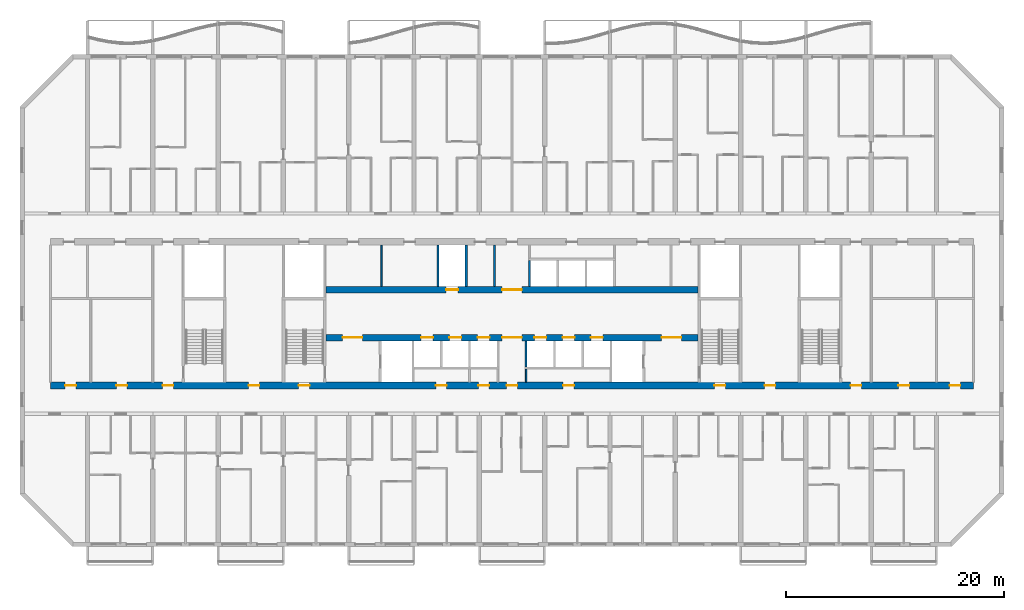
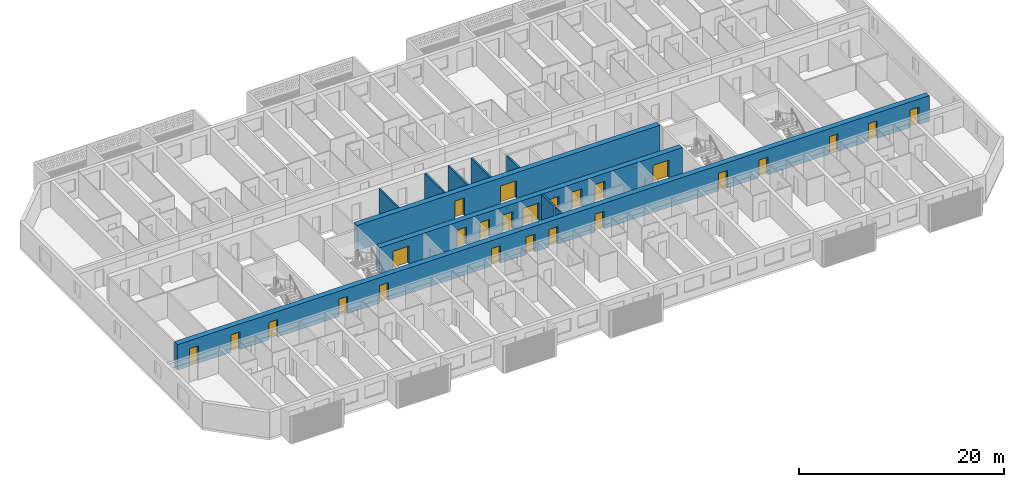
# One storey, part 7 of 39: 25 doors, 10 walls, 25 openings.
"""IFC4 building model written with IfcOpenShell, lengths in metres."""

from ifc_helpers import new_model, si_unit, direction, frame, frame_2d, origin, place, context, subcontext, project, spatial, rectangle, extrude, material, layer, layer_set, type_object, element, fill, save


model = new_model("IFC4")

# Units and contexts
model_context = context("Model", 3, precision=1e-05, world=origin(), true_north=direction((0.0, 1.0)))
body_context = subcontext(model_context, "Body", "Model", "MODEL_VIEW")
ifc_project = project(units=[si_unit("LENGTHUNIT", "METRE"), si_unit("AREAUNIT", "SQUARE_METRE"), si_unit("VOLUMEUNIT", "CUBIC_METRE"), si_unit("PLANEANGLEUNIT", "RADIAN"), si_unit("MASSUNIT", "GRAM", prefix="KILO")], contexts=[model_context])

# Site, building, storey
site_placement = place(None, origin())
site = spatial("IfcSite", under=ifc_project, at=site_placement, CompositionType="ELEMENT")
building_placement = place(site_placement, origin())
building = spatial("IfcBuilding", under=site, at=building_placement, Name="Poui Terraces", CompositionType="ELEMENT")
storey_placement = place(building_placement, frame((0.0, 0.0, 56.39990234375)))
storey = spatial("IfcBuildingStorey", under=building, at=storey_placement, Name="L15", CompositionType="ELEMENT", Elevation=56.39990234375)

# Wall, openings, doors
ifc_material_1 = material(Name="Concrete 80 MPa", Category="concrete")
ifc_layer_1 = layer(ifc_material_1, 0.60009765625)
ifc_layer_set_1 = layer_set([ifc_layer_1], Name="Concrete 80 MPa")
wall_type_1 = type_object("IfcWallType", Name="CORE WALL 600 80 MPA", PredefinedType="SOLIDWALL", material=ifc_layer_set_1)
wall_1_placement = place(storey_placement, frame((33.925048828125, 19.0, 0.0), z_axis=(0.0, 0.0, 1.0), x_axis=(1.0, 0.0, 0.0)))
wall_1 = element("IfcWall", 1, at=wall_1_placement, inside=storey, type_object=wall_type_1, Name="CORE WALL", PredefinedType="SOLIDWALL", context=body_context, shape_type="SweptSolid", body=[
    extrude(rectangle(XDim=34.14990234375, YDim=0.60009765625, at=frame_2d((17.074951171875, 0.0))), origin(), (0.0, 0.0, 1.0), 3.050048828125),
])
opening_1_placement = place(wall_1_placement, frame((16.175048828125, 0.0, 0.0)))
opening_1 = element("IfcOpeningElement", 2, at=opening_1_placement, cuts=wall_1, Name="Opening FDD60", PredefinedType="OPENING", context=body_context, shape_type="SweptSolid", body=[
    extrude(rectangle(XDim=1.800048828125, YDim=2.10009765625, at=frame_2d((0.89990234375, 1.050048828125))), frame((0.0, 0.31005859375, 0.0), z_axis=(0.0, -1.0, 0.0), x_axis=(1.0, 0.0, 0.0)), (0.0, 0.0, 1.0), 0.6201171875),
])
opening_2_placement = place(wall_1_placement, frame((1.52490234375, 0.0, 0.0)))
opening_2 = element("IfcOpeningElement", 3, at=opening_2_placement, cuts=wall_1, Name="Opening FDD60", PredefinedType="OPENING", context=body_context, shape_type="SweptSolid", body=[
    extrude(rectangle(XDim=1.800048828125, YDim=2.10009765625, at=frame_2d((0.89990234375, 1.050048828125))), frame((0.0, 0.31005859375, 0.0), z_axis=(0.0, -1.0, 0.0), x_axis=(1.0, 0.0, 0.0)), (0.0, 0.0, 1.0), 0.6201171875),
])
opening_3_placement = place(wall_1_placement, frame((8.72509765625, 0.0, 0.0)))
opening_3 = element("IfcOpeningElement", 4, at=opening_3_placement, cuts=wall_1, Name="Opening LD", PredefinedType="OPENING", context=body_context, shape_type="SweptSolid", body=[
    extrude(rectangle(XDim=1.10009765625, YDim=2.10009765625, at=frame_2d((0.550048828125, 1.050048828125))), frame((0.0, 0.31005859375, 0.0), z_axis=(0.0, -1.0, 0.0), x_axis=(1.0, 0.0, 0.0)), (0.0, 0.0, 1.0), 0.6201171875),
])
opening_4_placement = place(wall_1_placement, frame((11.324951171875, 0.0, 0.0)))
opening_4 = element("IfcOpeningElement", 5, at=opening_4_placement, cuts=wall_1, Name="Opening LD", PredefinedType="OPENING", context=body_context, shape_type="SweptSolid", body=[
    extrude(rectangle(XDim=1.10009765625, YDim=2.10009765625, at=frame_2d((0.550048828125, 1.050048828125))), frame((0.0, 0.31005859375, 0.0), z_axis=(0.0, -1.0, 0.0), x_axis=(1.0, 0.0, 0.0)), (0.0, 0.0, 1.0), 0.6201171875),
])
opening_5_placement = place(wall_1_placement, frame((13.925048828125, 0.0, 0.0)))
opening_5 = element("IfcOpeningElement", 6, at=opening_5_placement, cuts=wall_1, Name="Opening LD", PredefinedType="OPENING", context=body_context, shape_type="SweptSolid", body=[
    extrude(rectangle(XDim=1.10009765625, YDim=2.10009765625, at=frame_2d((0.550048828125, 1.050048828125))), frame((0.0, 0.31005859375, 0.0), z_axis=(0.0, -1.0, 0.0), x_axis=(1.0, 0.0, 0.0)), (0.0, 0.0, 1.0), 0.6201171875),
])
opening_6_placement = place(wall_1_placement, frame((19.125, 0.0, 0.0)))
opening_6 = element("IfcOpeningElement", 7, at=opening_6_placement, cuts=wall_1, Name="Opening LD", PredefinedType="OPENING", context=body_context, shape_type="SweptSolid", body=[
    extrude(rectangle(XDim=1.10009765625, YDim=2.10009765625, at=frame_2d((0.550048828125, 1.050048828125))), frame((0.0, 0.31005859375, 0.0), z_axis=(0.0, -1.0, 0.0), x_axis=(1.0, 0.0, 0.0)), (0.0, 0.0, 1.0), 0.6201171875),
])
opening_7_placement = place(wall_1_placement, frame((21.72509765625, 0.0, 0.0)))
opening_7 = element("IfcOpeningElement", 8, at=opening_7_placement, cuts=wall_1, Name="Opening LD", PredefinedType="OPENING", context=body_context, shape_type="SweptSolid", body=[
    extrude(rectangle(XDim=1.10009765625, YDim=2.10009765625, at=frame_2d((0.550048828125, 1.050048828125))), frame((0.0, 0.31005859375, 0.0), z_axis=(0.0, -1.0, 0.0), x_axis=(1.0, 0.0, 0.0)), (0.0, 0.0, 1.0), 0.6201171875),
])
opening_8_placement = place(wall_1_placement, frame((24.324951171875, 0.0, 0.0)))
opening_8 = element("IfcOpeningElement", 9, at=opening_8_placement, cuts=wall_1, Name="Opening LD", PredefinedType="OPENING", context=body_context, shape_type="SweptSolid", body=[
    extrude(rectangle(XDim=1.10009765625, YDim=2.10009765625, at=frame_2d((0.550048828125, 1.050048828125))), frame((0.0, 0.31005859375, 0.0), z_axis=(0.0, -1.0, 0.0), x_axis=(1.0, 0.0, 0.0)), (0.0, 0.0, 1.0), 0.6201171875),
])
opening_9_placement = place(wall_1_placement, frame((30.824951171875, 0.0, 0.0)))
opening_9 = element("IfcOpeningElement", 10, at=opening_9_placement, cuts=wall_1, Name="Opening FDD60", PredefinedType="OPENING", context=body_context, shape_type="SweptSolid", body=[
    extrude(rectangle(XDim=1.800048828125, YDim=2.10009765625, at=frame_2d((0.89990234375, 1.050048828125))), frame((0.0, 0.31005859375, 0.0), z_axis=(0.0, -1.0, 0.0), x_axis=(1.0, 0.0, 0.0)), (0.0, 0.0, 1.0), 0.6201171875),
])
ifc_material_2 = material(Name="Steel fire door", Category="steel")
door_type_1 = type_object("IfcDoorType", Name="DOUBLE LOBBY FIRE DOOR 1800 X 2100", OperationType="DOUBLE_DOOR_SINGLE_SWING", PredefinedType="DOOR", material=ifc_material_2)
door_1_placement = place(opening_1_placement, frame((1.800048828125, 0.0, 0.0), z_axis=(0.0, 0.0, 1.0), x_axis=(-1.0, 0.0, 0.0)))
door_1 = element("IfcDoor", 11, at=door_1_placement, inside=storey, type_object=door_type_1, Name="DOUBLE LOBBY FIRE DOOR 140", OperationType="DOUBLE_DOOR_SINGLE_SWING", OverallHeight=2.10009765625, OverallWidth=1.800048828125, PredefinedType="DOOR", context=body_context, shape_type="SweptSolid", body=[
    extrude(rectangle(XDim=1.800048828125, YDim=2.10009765625, at=frame_2d((0.89990234375, 1.050048828125))), frame((0.0, 0.02490234375, 0.0), z_axis=(0.0, -1.0, 0.0), x_axis=(1.0, 0.0, 0.0)), (0.0, 0.0, 1.0), 0.050048828125),
])
fill(opening_1, door_1)
door_2_placement = place(opening_2_placement, origin())
door_2 = element("IfcDoor", 12, at=door_2_placement, inside=storey, type_object=door_type_1, Name="DOUBLE LOBBY FIRE DOOR 141", OperationType="DOUBLE_DOOR_SINGLE_SWING", OverallHeight=2.10009765625, OverallWidth=1.800048828125, PredefinedType="DOOR", context=body_context, shape_type="SweptSolid", body=[
    extrude(rectangle(XDim=1.800048828125, YDim=2.10009765625, at=frame_2d((0.89990234375, 1.050048828125))), frame((0.0, 0.02490234375, 0.0), z_axis=(0.0, -1.0, 0.0), x_axis=(1.0, 0.0, 0.0)), (0.0, 0.0, 1.0), 0.050048828125),
])
fill(opening_2, door_2)
door_3_placement = place(opening_9_placement, origin())
door_3 = element("IfcDoor", 13, at=door_3_placement, inside=storey, type_object=door_type_1, Name="DOUBLE LOBBY FIRE DOOR 149", OperationType="DOUBLE_DOOR_SINGLE_SWING", OverallHeight=2.10009765625, OverallWidth=1.800048828125, PredefinedType="DOOR", context=body_context, shape_type="SweptSolid", body=[
    extrude(rectangle(XDim=1.800048828125, YDim=2.10009765625, at=frame_2d((0.89990234375, 1.050048828125))), frame((0.0, 0.02490234375, 0.0), z_axis=(0.0, -1.0, 0.0), x_axis=(1.0, 0.0, 0.0)), (0.0, 0.0, 1.0), 0.050048828125),
])
fill(opening_9, door_3)
ifc_material_3 = material(Name="Stainless steel sliding door", Category="steel")
door_type_2 = type_object("IfcDoorType", Name="LIFT LANDING DOOR 1100 X 2100", OperationType="DOUBLE_DOOR_SLIDING", PredefinedType="DOOR", material=ifc_material_3)
door_4_placement = place(opening_3_placement, origin())
door_4 = element("IfcDoor", 14, at=door_4_placement, inside=storey, type_object=door_type_2, Name="LANDING DOOR", OperationType="DOUBLE_DOOR_SLIDING", OverallHeight=2.10009765625, OverallWidth=1.10009765625, PredefinedType="DOOR", context=body_context, shape_type="SweptSolid", body=[
    extrude(rectangle(XDim=1.10009765625, YDim=2.10009765625, at=frame_2d((0.550048828125, 1.050048828125))), frame((0.0, 0.02490234375, 0.0), z_axis=(0.0, -1.0, 0.0), x_axis=(1.0, 0.0, 0.0)), (0.0, 0.0, 1.0), 0.050048828125),
])
fill(opening_3, door_4)
door_5_placement = place(opening_4_placement, origin())
door_5 = element("IfcDoor", 15, at=door_5_placement, inside=storey, type_object=door_type_2, Name="LANDING DOOR", OperationType="DOUBLE_DOOR_SLIDING", OverallHeight=2.10009765625, OverallWidth=1.10009765625, PredefinedType="DOOR", context=body_context, shape_type="SweptSolid", body=[
    extrude(rectangle(XDim=1.10009765625, YDim=2.10009765625, at=frame_2d((0.550048828125, 1.050048828125))), frame((0.0, 0.02490234375, 0.0), z_axis=(0.0, -1.0, 0.0), x_axis=(1.0, 0.0, 0.0)), (0.0, 0.0, 1.0), 0.050048828125),
])
fill(opening_4, door_5)
door_6_placement = place(opening_5_placement, origin())
door_6 = element("IfcDoor", 16, at=door_6_placement, inside=storey, type_object=door_type_2, Name="LANDING DOOR", OperationType="DOUBLE_DOOR_SLIDING", OverallHeight=2.10009765625, OverallWidth=1.10009765625, PredefinedType="DOOR", context=body_context, shape_type="SweptSolid", body=[
    extrude(rectangle(XDim=1.10009765625, YDim=2.10009765625, at=frame_2d((0.550048828125, 1.050048828125))), frame((0.0, 0.02490234375, 0.0), z_axis=(0.0, -1.0, 0.0), x_axis=(1.0, 0.0, 0.0)), (0.0, 0.0, 1.0), 0.050048828125),
])
fill(opening_5, door_6)
door_7_placement = place(opening_6_placement, origin())
door_7 = element("IfcDoor", 17, at=door_7_placement, inside=storey, type_object=door_type_2, Name="LANDING DOOR", OperationType="DOUBLE_DOOR_SLIDING", OverallHeight=2.10009765625, OverallWidth=1.10009765625, PredefinedType="DOOR", context=body_context, shape_type="SweptSolid", body=[
    extrude(rectangle(XDim=1.10009765625, YDim=2.10009765625, at=frame_2d((0.550048828125, 1.050048828125))), frame((0.0, 0.02490234375, 0.0), z_axis=(0.0, -1.0, 0.0), x_axis=(1.0, 0.0, 0.0)), (0.0, 0.0, 1.0), 0.050048828125),
])
fill(opening_6, door_7)
door_8_placement = place(opening_7_placement, origin())
door_8 = element("IfcDoor", 18, at=door_8_placement, inside=storey, type_object=door_type_2, Name="LANDING DOOR", OperationType="DOUBLE_DOOR_SLIDING", OverallHeight=2.10009765625, OverallWidth=1.10009765625, PredefinedType="DOOR", context=body_context, shape_type="SweptSolid", body=[
    extrude(rectangle(XDim=1.10009765625, YDim=2.10009765625, at=frame_2d((0.550048828125, 1.050048828125))), frame((0.0, 0.02490234375, 0.0), z_axis=(0.0, -1.0, 0.0), x_axis=(1.0, 0.0, 0.0)), (0.0, 0.0, 1.0), 0.050048828125),
])
fill(opening_7, door_8)
door_9_placement = place(opening_8_placement, origin())
door_9 = element("IfcDoor", 19, at=door_9_placement, inside=storey, type_object=door_type_2, Name="LANDING DOOR", OperationType="DOUBLE_DOOR_SLIDING", OverallHeight=2.10009765625, OverallWidth=1.10009765625, PredefinedType="DOOR", context=body_context, shape_type="SweptSolid", body=[
    extrude(rectangle(XDim=1.10009765625, YDim=2.10009765625, at=frame_2d((0.550048828125, 1.050048828125))), frame((0.0, 0.02490234375, 0.0), z_axis=(0.0, -1.0, 0.0), x_axis=(1.0, 0.0, 0.0)), (0.0, 0.0, 1.0), 0.050048828125),
])
fill(opening_8, door_9)

wall_2_placement = place(storey_placement, frame((33.925048828125, 23.39990234375, 0.0), z_axis=(0.0, 0.0, 1.0), x_axis=(1.0, 0.0, 0.0)))
wall_2 = element("IfcWall", 20, at=wall_2_placement, inside=storey, type_object=wall_type_1, Name="CORE WALL", PredefinedType="SOLIDWALL", context=body_context, shape_type="SweptSolid", body=[
    extrude(rectangle(XDim=34.14990234375, YDim=0.60009765625, at=frame_2d((17.074951171875, 0.0))), origin(), (0.0, 0.0, 1.0), 3.050048828125),
])
opening_10_placement = place(wall_2_placement, frame((16.175048828125, 0.0, 0.0)))
opening_10 = element("IfcOpeningElement", 21, at=opening_10_placement, cuts=wall_2, Name="Opening FDD60", PredefinedType="OPENING", context=body_context, shape_type="SweptSolid", body=[
    extrude(rectangle(XDim=1.800048828125, YDim=2.10009765625, at=frame_2d((0.89990234375, 1.050048828125))), frame((0.0, 0.31005859375, 0.0), z_axis=(0.0, -1.0, 0.0), x_axis=(1.0, 0.0, 0.0)), (0.0, 0.0, 1.0), 0.6201171875),
])
opening_11_placement = place(wall_2_placement, frame((11.02490234375, 0.0, 0.0)))
opening_11 = element("IfcOpeningElement", 22, at=opening_11_placement, cuts=wall_2, Name="Opening LD", PredefinedType="OPENING", context=body_context, shape_type="SweptSolid", body=[
    extrude(rectangle(XDim=1.10009765625, YDim=2.10009765625, at=frame_2d((0.550048828125, 1.050048828125))), frame((0.0, 0.31005859375, 0.0), z_axis=(0.0, -1.0, 0.0), x_axis=(1.0, 0.0, 0.0)), (0.0, 0.0, 1.0), 0.6201171875),
])
door_10_placement = place(opening_10_placement, origin())
door_10 = element("IfcDoor", 23, at=door_10_placement, inside=storey, type_object=door_type_1, Name="DOUBLE LOBBY FIRE DOOR 139", OperationType="DOUBLE_DOOR_SINGLE_SWING", OverallHeight=2.10009765625, OverallWidth=1.800048828125, PredefinedType="DOOR", context=body_context, shape_type="SweptSolid", body=[
    extrude(rectangle(XDim=1.800048828125, YDim=2.10009765625, at=frame_2d((0.89990234375, 1.050048828125))), frame((0.0, 0.02490234375, 0.0), z_axis=(0.0, -1.0, 0.0), x_axis=(1.0, 0.0, 0.0)), (0.0, 0.0, 1.0), 0.050048828125),
])
fill(opening_10, door_10)
door_11_placement = place(opening_11_placement, origin())
door_11 = element("IfcDoor", 24, at=door_11_placement, inside=storey, type_object=door_type_2, Name="LANDING DOOR", OperationType="DOUBLE_DOOR_SLIDING", OverallHeight=2.10009765625, OverallWidth=1.10009765625, PredefinedType="DOOR", context=body_context, shape_type="SweptSolid", body=[
    extrude(rectangle(XDim=1.10009765625, YDim=2.10009765625, at=frame_2d((0.550048828125, 1.050048828125))), frame((0.0, 0.02490234375, 0.0), z_axis=(0.0, -1.0, 0.0), x_axis=(1.0, 0.0, 0.0)), (0.0, 0.0, 1.0), 0.050048828125),
])
fill(opening_11, door_11)

# Walls
ifc_material_4 = material(Name="Fire-rated plasterboard wall")
ifc_layer_2 = layer(ifc_material_4, 0.14990234375)
ifc_layer_set_2 = layer_set([ifc_layer_2], Name="Fire-rated plasterboard wall")
wall_type_2 = type_object("IfcWallType", Name="CORRIDOR WALL 150", PredefinedType="PARTITIONING", material=ifc_layer_set_2)
wall_3_placement = place(storey_placement, frame((52.300048828125, 14.909912109375, 0.0), z_axis=(0.0, 0.0, 1.0), x_axis=(0.0, 1.0, 0.0)))
element("IfcWall", 25, at=wall_3_placement, inside=storey, type_object=wall_type_2, Name="CORRIDOR WALL 150", PredefinedType="PARTITIONING", context=body_context, shape_type="SweptSolid", body=[
    extrude(rectangle(XDim=1.190185546875, YDim=0.14990234375, at=frame_2d((0.59521484375, 0.0))), origin(), (0.0, 0.0, 1.0), 3.050048828125),
])
ifc_material_5 = material(Name="Plasterboard partition")
ifc_layer_3 = layer(ifc_material_5, 0.14990234375)
ifc_layer_set_3 = layer_set([ifc_layer_3], Name="Plasterboard partition")
wall_type_3 = type_object("IfcWallType", Name="PARTITION WALL 150", PredefinedType="PARTITIONING", material=ifc_layer_set_3)
wall_4_placement = place(storey_placement, frame((39.0, 23.7099609375, 0.0), z_axis=(0.0, 0.0, 1.0), x_axis=(0.0, 1.0, 0.0)))
element("IfcWall", 26, at=wall_4_placement, inside=storey, type_object=wall_type_3, Name="PARTITION WALL 150", PredefinedType="PARTITIONING", context=body_context, shape_type="SweptSolid", body=[
    extrude(rectangle(XDim=3.780029296875, YDim=0.14990234375, at=frame_2d((1.89013671875, 0.0))), origin(), (0.0, 0.0, 1.0), 3.050048828125),
])
ifc_material_6 = material(Name="Fire-rated masonry wall", Category="masonry")
ifc_layer_4 = layer(ifc_material_6, 0.199951171875)
ifc_layer_set_4 = layer_set([ifc_layer_4], Name="Fire-rated masonry wall")
wall_type_4 = type_object("IfcWallType", Name="PLANT ROOM WALL 200", PredefinedType="PARTITIONING", material=ifc_layer_set_4)
wall_5_placement = place(storey_placement, frame((49.39990234375, 23.7099609375, 0.0), z_axis=(0.0, 0.0, 1.0), x_axis=(0.0, 1.0, 0.0)))
element("IfcWall", 27, at=wall_5_placement, inside=storey, type_object=wall_type_4, Name="PLANT ROOM WALL 200", PredefinedType="PARTITIONING", context=body_context, shape_type="SweptSolid", body=[
    extrude(rectangle(XDim=3.780029296875, YDim=0.199951171875, at=frame_2d((1.89013671875, 0.0))), origin(), (0.0, 0.0, 1.0), 3.050048828125),
])
ifc_material_7 = material(Name="Fire-rated masonry shaft wall", Category="masonry")
ifc_layer_5 = layer(ifc_material_7, 0.199951171875)
ifc_layer_set_5 = layer_set([ifc_layer_5], Name="Fire-rated masonry shaft wall")
wall_type_5 = type_object("IfcWallType", Name="SHAFT WALL 200", PredefinedType="PARTITIONING", material=ifc_layer_set_5)
for number, where, z_axis, x_axis, name in (
    (28, (44.199951171875, 23.7099609375, 0.0), (0.0, 0.0, 1.0), (0.0, 1.0, 0.0), "SHAFT WALL 200"),
    (29, (46.800048828125, 23.7099609375, 0.0), (0.0, 0.0, 1.0), (0.0, 1.0, 0.0), "SHAFT WALL 200"),
):
    element("IfcWall", number, at=place(storey_placement, frame(where, z_axis=z_axis, x_axis=x_axis)), inside=storey, type_object=wall_type_5, Name=name, PredefinedType="PARTITIONING", context=body_context, shape_type="SweptSolid", body=[
        extrude(rectangle(XDim=3.780029296875, YDim=0.199951171875, at=frame_2d((1.89013671875, 0.0))), origin(), (0.0, 0.0, 1.0), 3.050048828125),
    ])
wall_6_placement = place(storey_placement, frame((52.300048828125, 16.300048828125, 0.0), z_axis=(0.0, 0.0, 1.0), x_axis=(0.0, 1.0, 0.0)))
element("IfcWall", 30, at=wall_6_placement, inside=storey, type_object=wall_type_5, Name="SHAFT WALL 200", PredefinedType="PARTITIONING", context=body_context, shape_type="SweptSolid", body=[
    extrude(rectangle(XDim=2.389892578125, YDim=0.199951171875, at=frame_2d((1.19482421875, 0.0))), origin(), (0.0, 0.0, 1.0), 3.050048828125),
])
wall_7_placement = place(storey_placement, frame((52.60009765625, 23.7099609375, 0.0), z_axis=(0.0, 0.0, 1.0), x_axis=(0.0, 1.0, 0.0)))
element("IfcWall", 31, at=wall_7_placement, inside=storey, type_object=wall_type_5, Name="SHAFT WALL 200", PredefinedType="PARTITIONING", context=body_context, shape_type="SweptSolid", body=[
    extrude(rectangle(XDim=2.39013671875, YDim=0.199951171875, at=frame_2d((1.195068359375, 0.0))), origin(), (0.0, 0.0, 1.0), 3.050048828125),
])

# Wall, openings, doors
ifc_layer_6 = layer(ifc_material_1, 0.60009765625)
ifc_layer_set_6 = layer_set([ifc_layer_6], Name="Concrete 80 MPa")
wall_type_6 = type_object("IfcWallType", Name="SPINE WALL 600 80 MPA", PredefinedType="SOLIDWALL", material=ifc_layer_set_6)
wall_8_placement = place(storey_placement, frame((8.60009765625, 14.60009765625, 0.0), z_axis=(0.0, 0.0, 1.0), x_axis=(1.0, 0.0, 0.0)))
wall_8 = element("IfcWall", 32, at=wall_8_placement, inside=storey, type_object=wall_type_6, Name="SPINE WALL", PredefinedType="SOLIDWALL", context=body_context, shape_type="SweptSolid", body=[
    extrude(rectangle(XDim=84.7998046875, YDim=0.60009765625, at=frame_2d((42.39990234375, 0.0))), origin(), (0.0, 0.0, 1.0), 3.050048828125),
])
opening_12_placement = place(wall_8_placement, frame((1.35009765625, 0.0, 0.0)))
opening_12 = element("IfcOpeningElement", 33, at=opening_12_placement, cuts=wall_8, Name="Opening D100", PredefinedType="OPENING", context=body_context, shape_type="SweptSolid", body=[
    extrude(rectangle(XDim=1.0, YDim=2.10009765625, at=frame_2d((0.5, 1.050048828125))), frame((0.0, 0.31005859375, 0.0), z_axis=(0.0, -1.0, 0.0), x_axis=(1.0, 0.0, 0.0)), (0.0, 0.0, 1.0), 0.6201171875),
])
opening_13_placement = place(wall_8_placement, frame((6.050048828125, 0.0, 0.0)))
opening_13 = element("IfcOpeningElement", 34, at=opening_13_placement, cuts=wall_8, Name="Opening FD60", PredefinedType="OPENING", context=body_context, shape_type="SweptSolid", body=[
    extrude(rectangle(XDim=1.0, YDim=2.10009765625, at=frame_2d((0.5, 1.050048828125))), frame((0.0, 0.31005859375, 0.0), z_axis=(0.0, -1.0, 0.0), x_axis=(1.0, 0.0, 0.0)), (0.0, 0.0, 1.0), 0.6201171875),
])
opening_14_placement = place(wall_8_placement, frame((10.300048828125, 0.0, 0.0)))
opening_14 = element("IfcOpeningElement", 35, at=opening_14_placement, cuts=wall_8, Name="Opening FDL", PredefinedType="OPENING", context=body_context, shape_type="SweptSolid", body=[
    extrude(rectangle(XDim=1.0, YDim=2.10009765625, at=frame_2d((0.5, 1.050048828125))), frame((0.0, 0.31005859375, 0.0), z_axis=(0.0, -1.0, 0.0), x_axis=(1.0, 0.0, 0.0)), (0.0, 0.0, 1.0), 0.6201171875),
])
opening_15_placement = place(wall_8_placement, frame((18.199951171875, 0.0, 0.0)))
opening_15 = element("IfcOpeningElement", 36, at=opening_15_placement, cuts=wall_8, Name="Opening D100", PredefinedType="OPENING", context=body_context, shape_type="SweptSolid", body=[
    extrude(rectangle(XDim=1.0, YDim=2.10009765625, at=frame_2d((0.5, 1.050048828125))), frame((0.0, 0.31005859375, 0.0), z_axis=(0.0, -1.0, 0.0), x_axis=(1.0, 0.0, 0.0)), (0.0, 0.0, 1.0), 0.6201171875),
])
opening_16_placement = place(wall_8_placement, frame((22.800048828125, 0.0, 0.0)))
opening_16 = element("IfcOpeningElement", 37, at=opening_16_placement, cuts=wall_8, Name="Opening FD60S", PredefinedType="OPENING", context=body_context, shape_type="SweptSolid", body=[
    extrude(rectangle(XDim=1.0, YDim=2.10009765625, at=frame_2d((0.5, 1.050048828125))), frame((0.0, 0.31005859375, 0.0), z_axis=(0.0, -1.0, 0.0), x_axis=(1.0, 0.0, 0.0)), (0.0, 0.0, 1.0), 0.6201171875),
])
opening_17_placement = place(wall_8_placement, frame((35.39990234375, 0.0, 0.0)))
opening_17 = element("IfcOpeningElement", 38, at=opening_17_placement, cuts=wall_8, Name="Opening FD60", PredefinedType="OPENING", context=body_context, shape_type="SweptSolid", body=[
    extrude(rectangle(XDim=1.0, YDim=2.10009765625, at=frame_2d((0.5, 1.050048828125))), frame((0.0, 0.31005859375, 0.0), z_axis=(0.0, -1.0, 0.0), x_axis=(1.0, 0.0, 0.0)), (0.0, 0.0, 1.0), 0.6201171875),
])
opening_18_placement = place(wall_8_placement, frame((39.300048828125, 0.0, 0.0)))
opening_18 = element("IfcOpeningElement", 39, at=opening_18_placement, cuts=wall_8, Name="Opening FD60", PredefinedType="OPENING", context=body_context, shape_type="SweptSolid", body=[
    extrude(rectangle(XDim=1.0, YDim=2.10009765625, at=frame_2d((0.5, 1.050048828125))), frame((0.0, 0.31005859375, 0.0), z_axis=(0.0, -1.0, 0.0), x_axis=(1.0, 0.0, 0.0)), (0.0, 0.0, 1.0), 0.6201171875),
])
opening_19_placement = place(wall_8_placement, frame((41.89990234375, 0.0, 0.0)))
opening_19 = element("IfcOpeningElement", 40, at=opening_19_placement, cuts=wall_8, Name="Opening FDL", PredefinedType="OPENING", context=body_context, shape_type="SweptSolid", body=[
    extrude(rectangle(XDim=1.0, YDim=2.10009765625, at=frame_2d((0.5, 1.050048828125))), frame((0.0, 0.31005859375, 0.0), z_axis=(0.0, -1.0, 0.0), x_axis=(1.0, 0.0, 0.0)), (0.0, 0.0, 1.0), 0.6201171875),
])
opening_20_placement = place(wall_8_placement, frame((47.10009765625, 0.0, 0.0)))
opening_20 = element("IfcOpeningElement", 41, at=opening_20_placement, cuts=wall_8, Name="Opening FD60", PredefinedType="OPENING", context=body_context, shape_type="SweptSolid", body=[
    extrude(rectangle(XDim=1.0, YDim=2.10009765625, at=frame_2d((0.5, 1.050048828125))), frame((0.0, 0.31005859375, 0.0), z_axis=(0.0, -1.0, 0.0), x_axis=(1.0, 0.0, 0.0)), (0.0, 0.0, 1.0), 0.6201171875),
])
opening_21_placement = place(wall_8_placement, frame((61.0, 0.0, 0.0)))
opening_21 = element("IfcOpeningElement", 42, at=opening_21_placement, cuts=wall_8, Name="Opening FD60S", PredefinedType="OPENING", context=body_context, shape_type="SweptSolid", body=[
    extrude(rectangle(XDim=1.0, YDim=2.10009765625, at=frame_2d((0.5, 1.050048828125))), frame((0.0, 0.31005859375, 0.0), z_axis=(0.0, -1.0, 0.0), x_axis=(1.0, 0.0, 0.0)), (0.0, 0.0, 1.0), 0.6201171875),
])
opening_22_placement = place(wall_8_placement, frame((65.60009765625, 0.0, 0.0)))
opening_22 = element("IfcOpeningElement", 43, at=opening_22_placement, cuts=wall_8, Name="Opening D100", PredefinedType="OPENING", context=body_context, shape_type="SweptSolid", body=[
    extrude(rectangle(XDim=1.0, YDim=2.10009765625, at=frame_2d((0.5, 1.050048828125))), frame((0.0, 0.31005859375, 0.0), z_axis=(0.0, -1.0, 0.0), x_axis=(1.0, 0.0, 0.0)), (0.0, 0.0, 1.0), 0.6201171875),
])
opening_23_placement = place(wall_8_placement, frame((73.5, 0.0, 0.0)))
opening_23 = element("IfcOpeningElement", 44, at=opening_23_placement, cuts=wall_8, Name="Opening FDL", PredefinedType="OPENING", context=body_context, shape_type="SweptSolid", body=[
    extrude(rectangle(XDim=1.0, YDim=2.10009765625, at=frame_2d((0.5, 1.050048828125))), frame((0.0, 0.31005859375, 0.0), z_axis=(0.0, -1.0, 0.0), x_axis=(1.0, 0.0, 0.0)), (0.0, 0.0, 1.0), 0.6201171875),
])
opening_24_placement = place(wall_8_placement, frame((77.89990234375, 0.0, 0.0)))
opening_24 = element("IfcOpeningElement", 45, at=opening_24_placement, cuts=wall_8, Name="Opening D100", PredefinedType="OPENING", context=body_context, shape_type="SweptSolid", body=[
    extrude(rectangle(XDim=1.0, YDim=2.10009765625, at=frame_2d((0.5, 1.050048828125))), frame((0.0, 0.31005859375, 0.0), z_axis=(0.0, -1.0, 0.0), x_axis=(1.0, 0.0, 0.0)), (0.0, 0.0, 1.0), 0.6201171875),
])
opening_25_placement = place(wall_8_placement, frame((82.60009765625, 0.0, 0.0)))
opening_25 = element("IfcOpeningElement", 46, at=opening_25_placement, cuts=wall_8, Name="Opening FD60", PredefinedType="OPENING", context=body_context, shape_type="SweptSolid", body=[
    extrude(rectangle(XDim=1.0, YDim=2.10009765625, at=frame_2d((0.5, 1.050048828125))), frame((0.0, 0.31005859375, 0.0), z_axis=(0.0, -1.0, 0.0), x_axis=(1.0, 0.0, 0.0)), (0.0, 0.0, 1.0), 0.6201171875),
])
ifc_material_8 = material(Name="Solid core timber door", Category="wood")
door_type_3 = type_object("IfcDoorType", Name="ACCESSIBLE INTERNAL DOOR 1000 X 2100", OperationType="NOTDEFINED", PredefinedType="DOOR", material=ifc_material_8)
door_12_placement = place(opening_12_placement, frame((1.0, 0.0, 0.0), z_axis=(0.0, 0.0, 1.0), x_axis=(-1.0, 0.0, 0.0)))
door_12 = element("IfcDoor", 47, at=door_12_placement, inside=storey, type_object=door_type_3, Name="ACCESSIBLE INTERNAL DOOR 018", OperationType="SINGLE_SWING_RIGHT", OverallHeight=2.10009765625, OverallWidth=1.0, PredefinedType="DOOR", context=body_context, shape_type="SweptSolid", body=[
    extrude(rectangle(XDim=1.0, YDim=2.10009765625, at=frame_2d((0.5, 1.050048828125))), frame((0.0, 0.02490234375, 0.0), z_axis=(0.0, -1.0, 0.0), x_axis=(1.0, 0.0, 0.0)), (0.0, 0.0, 1.0), 0.050048828125),
])
fill(opening_12, door_12)
door_13_placement = place(opening_15_placement, frame((1.0, 0.0, 0.0), z_axis=(0.0, 0.0, 1.0), x_axis=(-1.0, 0.0, 0.0)))
door_13 = element("IfcDoor", 48, at=door_13_placement, inside=storey, type_object=door_type_3, Name="ACCESSIBLE INTERNAL DOOR 021", OperationType="SINGLE_SWING_RIGHT", OverallHeight=2.10009765625, OverallWidth=1.0, PredefinedType="DOOR", context=body_context, shape_type="SweptSolid", body=[
    extrude(rectangle(XDim=1.0, YDim=2.10009765625, at=frame_2d((0.5, 1.050048828125))), frame((0.0, 0.02490234375, 0.0), z_axis=(0.0, -1.0, 0.0), x_axis=(1.0, 0.0, 0.0)), (0.0, 0.0, 1.0), 0.050048828125),
])
fill(opening_15, door_13)
door_14_placement = place(opening_22_placement, frame((1.0, 0.0, 0.0), z_axis=(0.0, 0.0, 1.0), x_axis=(-1.0, 0.0, 0.0)))
door_14 = element("IfcDoor", 49, at=door_14_placement, inside=storey, type_object=door_type_3, Name="ACCESSIBLE INTERNAL DOOR 028", OperationType="SINGLE_SWING_LEFT", OverallHeight=2.10009765625, OverallWidth=1.0, PredefinedType="DOOR", context=body_context, shape_type="SweptSolid", body=[
    extrude(rectangle(XDim=1.0, YDim=2.10009765625, at=frame_2d((0.5, 1.050048828125))), frame((0.0, 0.02490234375, 0.0), z_axis=(0.0, -1.0, 0.0), x_axis=(1.0, 0.0, 0.0)), (0.0, 0.0, 1.0), 0.050048828125),
])
fill(opening_22, door_14)
door_15_placement = place(opening_24_placement, frame((1.0, 0.0, 0.0), z_axis=(0.0, 0.0, 1.0), x_axis=(-1.0, 0.0, 0.0)))
door_15 = element("IfcDoor", 50, at=door_15_placement, inside=storey, type_object=door_type_3, Name="ACCESSIBLE INTERNAL DOOR 030", OperationType="SINGLE_SWING_RIGHT", OverallHeight=2.10009765625, OverallWidth=1.0, PredefinedType="DOOR", context=body_context, shape_type="SweptSolid", body=[
    extrude(rectangle(XDim=1.0, YDim=2.10009765625, at=frame_2d((0.5, 1.050048828125))), frame((0.0, 0.02490234375, 0.0), z_axis=(0.0, -1.0, 0.0), x_axis=(1.0, 0.0, 0.0)), (0.0, 0.0, 1.0), 0.050048828125),
])
fill(opening_24, door_15)
door_type_4 = type_object("IfcDoorType", Name="LOBBY FIRE DOOR 1000 X 2100", OperationType="NOTDEFINED", PredefinedType="DOOR", material=ifc_material_2)
door_16_placement = place(opening_14_placement, frame((1.0, 0.0, 0.0), z_axis=(0.0, 0.0, 1.0), x_axis=(-1.0, 0.0, 0.0)))
door_16 = element("IfcDoor", 51, at=door_16_placement, inside=storey, type_object=door_type_4, Name="LOBBY FIRE DOOR 020", OperationType="SINGLE_SWING_RIGHT", OverallHeight=2.10009765625, OverallWidth=1.0, PredefinedType="DOOR", context=body_context, shape_type="SweptSolid", body=[
    extrude(rectangle(XDim=1.0, YDim=2.10009765625, at=frame_2d((0.5, 1.050048828125))), frame((0.0, 0.02490234375, 0.0), z_axis=(0.0, -1.0, 0.0), x_axis=(1.0, 0.0, 0.0)), (0.0, 0.0, 1.0), 0.050048828125),
])
fill(opening_14, door_16)
door_17_placement = place(opening_19_placement, frame((1.0, 0.0, 0.0), z_axis=(0.0, 0.0, 1.0), x_axis=(-1.0, 0.0, 0.0)))
door_17 = element("IfcDoor", 52, at=door_17_placement, inside=storey, type_object=door_type_4, Name="LOBBY FIRE DOOR 025", OperationType="SINGLE_SWING_LEFT", OverallHeight=2.10009765625, OverallWidth=1.0, PredefinedType="DOOR", context=body_context, shape_type="SweptSolid", body=[
    extrude(rectangle(XDim=1.0, YDim=2.10009765625, at=frame_2d((0.5, 1.050048828125))), frame((0.0, 0.02490234375, 0.0), z_axis=(0.0, -1.0, 0.0), x_axis=(1.0, 0.0, 0.0)), (0.0, 0.0, 1.0), 0.050048828125),
])
fill(opening_19, door_17)
door_18_placement = place(opening_23_placement, frame((1.0, 0.0, 0.0), z_axis=(0.0, 0.0, 1.0), x_axis=(-1.0, 0.0, 0.0)))
door_18 = element("IfcDoor", 53, at=door_18_placement, inside=storey, type_object=door_type_4, Name="LOBBY FIRE DOOR 029", OperationType="SINGLE_SWING_LEFT", OverallHeight=2.10009765625, OverallWidth=1.0, PredefinedType="DOOR", context=body_context, shape_type="SweptSolid", body=[
    extrude(rectangle(XDim=1.0, YDim=2.10009765625, at=frame_2d((0.5, 1.050048828125))), frame((0.0, 0.02490234375, 0.0), z_axis=(0.0, -1.0, 0.0), x_axis=(1.0, 0.0, 0.0)), (0.0, 0.0, 1.0), 0.050048828125),
])
fill(opening_23, door_18)
door_type_5 = type_object("IfcDoorType", Name="SERVICE ROOM FIRE DOOR 1000 X 2100", OperationType="NOTDEFINED", PredefinedType="DOOR", material=ifc_material_2)
door_19_placement = place(opening_13_placement, frame((1.0, 0.0, 0.0), z_axis=(0.0, 0.0, 1.0), x_axis=(-1.0, 0.0, 0.0)))
door_19 = element("IfcDoor", 54, at=door_19_placement, inside=storey, type_object=door_type_5, Name="SERVICE ROOM FIRE DOOR 019", OperationType="SINGLE_SWING_LEFT", OverallHeight=2.10009765625, OverallWidth=1.0, PredefinedType="DOOR", context=body_context, shape_type="SweptSolid", body=[
    extrude(rectangle(XDim=1.0, YDim=2.10009765625, at=frame_2d((0.5, 1.050048828125))), frame((0.0, 0.02490234375, 0.0), z_axis=(0.0, -1.0, 0.0), x_axis=(1.0, 0.0, 0.0)), (0.0, 0.0, 1.0), 0.050048828125),
])
fill(opening_13, door_19)
door_20_placement = place(opening_17_placement, frame((1.0, 0.0, 0.0), z_axis=(0.0, 0.0, 1.0), x_axis=(-1.0, 0.0, 0.0)))
door_20 = element("IfcDoor", 55, at=door_20_placement, inside=storey, type_object=door_type_5, Name="SERVICE ROOM FIRE DOOR 023", OperationType="SINGLE_SWING_LEFT", OverallHeight=2.10009765625, OverallWidth=1.0, PredefinedType="DOOR", context=body_context, shape_type="SweptSolid", body=[
    extrude(rectangle(XDim=1.0, YDim=2.10009765625, at=frame_2d((0.5, 1.050048828125))), frame((0.0, 0.02490234375, 0.0), z_axis=(0.0, -1.0, 0.0), x_axis=(1.0, 0.0, 0.0)), (0.0, 0.0, 1.0), 0.050048828125),
])
fill(opening_17, door_20)
door_21_placement = place(opening_18_placement, frame((1.0, 0.0, 0.0), z_axis=(0.0, 0.0, 1.0), x_axis=(-1.0, 0.0, 0.0)))
door_21 = element("IfcDoor", 56, at=door_21_placement, inside=storey, type_object=door_type_5, Name="SERVICE ROOM FIRE DOOR 024", OperationType="SINGLE_SWING_RIGHT", OverallHeight=2.10009765625, OverallWidth=1.0, PredefinedType="DOOR", context=body_context, shape_type="SweptSolid", body=[
    extrude(rectangle(XDim=1.0, YDim=2.10009765625, at=frame_2d((0.5, 1.050048828125))), frame((0.0, 0.02490234375, 0.0), z_axis=(0.0, -1.0, 0.0), x_axis=(1.0, 0.0, 0.0)), (0.0, 0.0, 1.0), 0.050048828125),
])
fill(opening_18, door_21)
door_22_placement = place(opening_20_placement, frame((1.0, 0.0, 0.0), z_axis=(0.0, 0.0, 1.0), x_axis=(-1.0, 0.0, 0.0)))
door_22 = element("IfcDoor", 57, at=door_22_placement, inside=storey, type_object=door_type_5, Name="SERVICE ROOM FIRE DOOR 026", OperationType="SINGLE_SWING_LEFT", OverallHeight=2.10009765625, OverallWidth=1.0, PredefinedType="DOOR", context=body_context, shape_type="SweptSolid", body=[
    extrude(rectangle(XDim=1.0, YDim=2.10009765625, at=frame_2d((0.5, 1.050048828125))), frame((0.0, 0.02490234375, 0.0), z_axis=(0.0, -1.0, 0.0), x_axis=(1.0, 0.0, 0.0)), (0.0, 0.0, 1.0), 0.050048828125),
])
fill(opening_20, door_22)
door_23_placement = place(opening_25_placement, frame((1.0, 0.0, 0.0), z_axis=(0.0, 0.0, 1.0), x_axis=(-1.0, 0.0, 0.0)))
door_23 = element("IfcDoor", 58, at=door_23_placement, inside=storey, type_object=door_type_5, Name="SERVICE ROOM FIRE DOOR 031", OperationType="SINGLE_SWING_LEFT", OverallHeight=2.10009765625, OverallWidth=1.0, PredefinedType="DOOR", context=body_context, shape_type="SweptSolid", body=[
    extrude(rectangle(XDim=1.0, YDim=2.10009765625, at=frame_2d((0.5, 1.050048828125))), frame((0.0, 0.02490234375, 0.0), z_axis=(0.0, -1.0, 0.0), x_axis=(1.0, 0.0, 0.0)), (0.0, 0.0, 1.0), 0.050048828125),
])
fill(opening_25, door_23)
door_type_6 = type_object("IfcDoorType", Name="STAIR DOOR 1000 X 2100", OperationType="NOTDEFINED", PredefinedType="DOOR", material=ifc_material_2)
door_24_placement = place(opening_16_placement, origin())
door_24 = element("IfcDoor", 59, at=door_24_placement, inside=storey, type_object=door_type_6, Name="STAIR DOOR 022", OperationType="SINGLE_SWING_RIGHT", OverallHeight=2.10009765625, OverallWidth=1.0, PredefinedType="DOOR", context=body_context, shape_type="SweptSolid", body=[
    extrude(rectangle(XDim=1.0, YDim=2.10009765625, at=frame_2d((0.5, 1.050048828125))), frame((0.0, 0.02490234375, 0.0), z_axis=(0.0, -1.0, 0.0), x_axis=(1.0, 0.0, 0.0)), (0.0, 0.0, 1.0), 0.050048828125),
])
fill(opening_16, door_24)
door_25_placement = place(opening_21_placement, origin())
door_25 = element("IfcDoor", 60, at=door_25_placement, inside=storey, type_object=door_type_6, Name="STAIR DOOR 027", OperationType="SINGLE_SWING_RIGHT", OverallHeight=2.10009765625, OverallWidth=1.0, PredefinedType="DOOR", context=body_context, shape_type="SweptSolid", body=[
    extrude(rectangle(XDim=1.0, YDim=2.10009765625, at=frame_2d((0.5, 1.050048828125))), frame((0.0, 0.02490234375, 0.0), z_axis=(0.0, -1.0, 0.0), x_axis=(1.0, 0.0, 0.0)), (0.0, 0.0, 1.0), 0.050048828125),
])
fill(opening_21, door_25)

save(model, "model.ifc")
